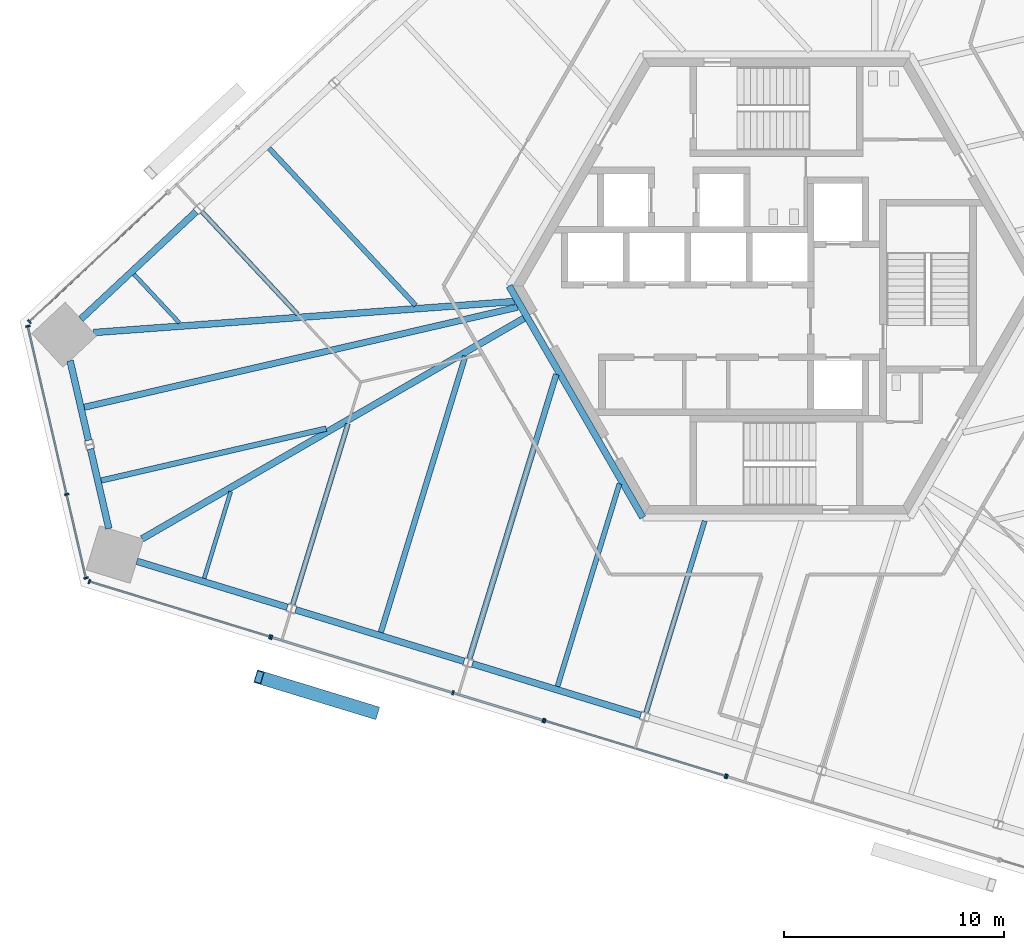
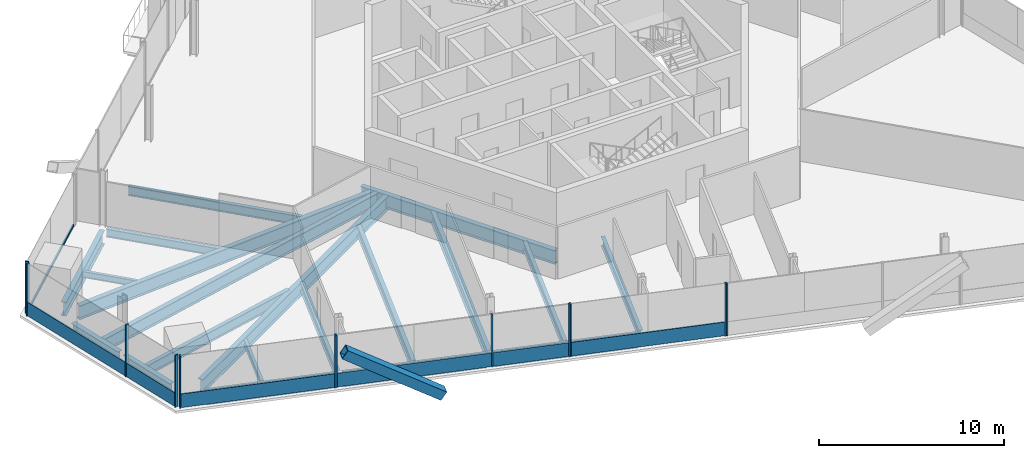
# One storey, part 4 of 17: 20 beams, 20 members, 6 elements without a shape of their own.
"""IFC4 building model written with IfcOpenShell, lengths in metres."""

import ifcopenshell
import ifcopenshell.guid

model = None  # the IFC model being written
_history = None  # IfcOwnerHistory: only IFC2X3 demands one
_inside = {}  # id of a spatial element -> (the spatial element, [elements in it])
_under = {}  # id of a project, library or spatial element -> (it, [spatial elements below it])
_declared = {}  # id of a project -> (the project, [libraries it declares])
_typed = {}  # id of a type object -> (the type object, [elements of that type])
_made_of = {}  # id of a material, layer set ... -> (it, [elements and type objects made of it])


def new_model(schema):
    """Start an empty IFC model of exactly this schema.

    Asked for "IFC4X3", IfcOpenShell would pick the latest addendum, in which some entities
    have other attributes; the version numbers below select the first issue.
    IFC2X3 requires an IfcOwnerHistory on every rooted entity: one is made here for all.
    """
    global model, _history
    if schema == "IFC4X3":
        model = ifcopenshell.file(schema_version=(4, 3, 0, 0))
    else:
        model = ifcopenshell.file(schema=schema)
    _inside.clear()
    _under.clear()
    _declared.clear()
    _typed.clear()
    _made_of.clear()
    _history = None
    if model.schema == "IFC2X3":
        org = make("IfcOrganization", Name="unknown")
        user = make(
            "IfcPersonAndOrganization",
            ThePerson=make("IfcPerson", FamilyName="unknown"),
            TheOrganization=org,
        )
        app = make(
            "IfcApplication",
            ApplicationDeveloper=org,
            Version="unknown",
            ApplicationFullName="unknown",
            ApplicationIdentifier="unknown",
        )
        _history = make(
            "IfcOwnerHistory",
            OwningUser=user,
            OwningApplication=app,
            ChangeAction="ADDED",
            CreationDate=0,
        )
    return model


def make(cls, **values):
    """One entity of the class cls with the attributes given. An attribute that is None is left unset."""
    return model.create_entity(
        cls, **{name: value for name, value in values.items() if value is not None}
    )


def rooted(cls, **values):
    """An entity with a GlobalId (a new one), such as an element, a storey or a relation."""
    return make(cls, GlobalId=ifcopenshell.guid.new(), OwnerHistory=_history, **values)


def si_unit(unit_type, name, prefix=None):
    """IfcSIUnit, for example si_unit("LENGTHUNIT", "METRE", prefix="MILLI")."""
    return make("IfcSIUnit", UnitType=unit_type, Prefix=prefix, Name=name)


def assignment(units):
    """IfcUnitAssignment: the units of a project."""
    return None if units is None else make("IfcUnitAssignment", Units=units)


def point(xyz):
    """IfcCartesianPoint."""
    return None if xyz is None else make("IfcCartesianPoint", Coordinates=xyz)


def direction(xyz):
    """IfcDirection."""
    return None if xyz is None else make("IfcDirection", DirectionRatios=xyz)


def frame(location, z_axis=None, x_axis=None):
    """IfcAxis2Placement3D, a coordinate frame: its origin and axes. An axis left out is left unset."""
    return make(
        "IfcAxis2Placement3D",
        Location=point(location),
        Axis=direction(z_axis),
        RefDirection=direction(x_axis),
    )


def frame_2d(location, x_axis=None):
    """IfcAxis2Placement2D, a coordinate frame in the plane: its origin and x axis."""
    return make(
        "IfcAxis2Placement2D", Location=point(location), RefDirection=direction(x_axis)
    )


def origin():
    """The frame at (0, 0, 0) with its axes left unset."""
    return frame((0.0, 0.0, 0.0))


def origin_2d():
    """The frame at (0, 0) in the plane with its x axis left unset."""
    return frame_2d((0.0, 0.0))


def place(relative_to, where):
    """IfcLocalPlacement: puts the frame where relative to a parent placement (None: the world)."""
    return make(
        "IfcLocalPlacement", PlacementRelTo=relative_to, RelativePlacement=where
    )


def context(
    kind, dimensions, precision=None, world=None, true_north=None, identifier=None
):
    """IfcGeometricRepresentationContext, for example the 3D "Model" context."""
    return make(
        "IfcGeometricRepresentationContext",
        ContextIdentifier=identifier,
        ContextType=kind,
        CoordinateSpaceDimension=dimensions,
        Precision=precision,
        WorldCoordinateSystem=world,
        TrueNorth=true_north,
    )


def subcontext(parent, identifier, kind, view, scale=None):
    """IfcGeometricRepresentationSubContext, for example "Body" below "Model"."""
    return make(
        "IfcGeometricRepresentationSubContext",
        ContextIdentifier=identifier,
        ContextType=kind,
        ParentContext=parent,
        TargetScale=scale,
        TargetView=view,
    )


def project(units=None, contexts=None):
    """IfcProject with its units and contexts."""
    return rooted(
        "IfcProject",
        Name="project",
        RepresentationContexts=contexts,
        UnitsInContext=assignment(units),
    )


def spatial(cls, under=None, at=None, **own):
    """A site, building, storey or space (cls), placed at a placement, below another one or the project."""
    s = rooted(cls, ObjectPlacement=at, **own)
    if under is not None:
        _under.setdefault(under.id(), (under, []))[1].append(s)
    return s


def profile(cls, at=None, kind="AREA", **sizes):
    """A parametric profile (cls). Its sizes go by their IFC names, for example OverallWidth=200.0."""
    return make(cls, ProfileType=kind, Position=at, **sizes)


def rectangle(**sizes):
    """IfcRectangleProfileDef."""
    return profile("IfcRectangleProfileDef", **sizes)


def hollow_rectangle(**sizes):
    """IfcRectangleHollowProfileDef."""
    return profile("IfcRectangleHollowProfileDef", **sizes)


def i_section(**sizes):
    """IfcIShapeProfileDef."""
    return profile("IfcIShapeProfileDef", **sizes)


def extrude(swept, where, along, depth):
    """IfcExtrudedAreaSolid: the profile swept, set in the frame where, extruded along a direction by depth."""
    return make(
        "IfcExtrudedAreaSolid",
        SweptArea=swept,
        Position=where,
        ExtrudedDirection=direction(along),
        Depth=depth,
    )


def shape(context_of_items, identifier, shape_type, items):
    """IfcShapeRepresentation: the items that make up one representation, for example the "Body"."""
    return make(
        "IfcShapeRepresentation",
        ContextOfItems=context_of_items,
        RepresentationIdentifier=identifier,
        RepresentationType=shape_type,
        Items=items,
    )


def source(mapping_origin, context_of_items, identifier, shape_type, items):
    """IfcRepresentationMap: a shape defined once, which mapped items show again and again."""
    return make(
        "IfcRepresentationMap",
        MappingOrigin=mapping_origin,
        MappedRepresentation=shape(context_of_items, identifier, shape_type, items),
    )


def transform(
    local_origin,
    x_axis=None,
    y_axis=None,
    z_axis=None,
    scale=None,
    scale2=None,
    scale3=None,
    uniform=True,
):
    """IfcCartesianTransformationOperator3D, or its non-uniform kind. x_axis, y_axis, z_axis: its Axis1, 2, 3."""
    if uniform:
        return make(
            "IfcCartesianTransformationOperator3D",
            Axis1=direction(x_axis),
            Axis2=direction(y_axis),
            LocalOrigin=point(local_origin),
            Scale=scale,
            Axis3=direction(z_axis),
        )
    return make(
        "IfcCartesianTransformationOperator3DnonUniform",
        Axis1=direction(x_axis),
        Axis2=direction(y_axis),
        LocalOrigin=point(local_origin),
        Scale=scale,
        Axis3=direction(z_axis),
        Scale2=scale2,
        Scale3=scale3,
    )


def mapped(mapping_source, mapping_target):
    """IfcMappedItem: shows the shape of a source again, moved by a transform."""
    return make(
        "IfcMappedItem", MappingSource=mapping_source, MappingTarget=mapping_target
    )


def material(Name=None, Category=None):
    """IfcMaterial."""
    return make("IfcMaterial", Name=Name, Category=Category)


def material_profile(
    of_material, cross_section, Name=None, Category=None, Priority=None
):
    """IfcMaterialProfile: a cross section and its material."""
    return make(
        "IfcMaterialProfile",
        Name=Name,
        Material=of_material,
        Profile=cross_section,
        Priority=Priority,
        Category=Category,
    )


def profile_set(profiles, Name=None, composite=None):
    """IfcMaterialProfileSet."""
    return make(
        "IfcMaterialProfileSet",
        Name=Name,
        MaterialProfiles=profiles,
        CompositeProfile=composite,
    )


def made_of(thing, what):
    """Note that an element or type object is made of a material, layer set ...; save() writes the relation."""
    if what is not None:
        _made_of.setdefault(what.id(), (what, []))[1].append(thing)
    return thing


def type_object(cls, material=None, **own):
    """A type object (cls), such as IfcWallType, which elements share."""
    return made_of(rooted(cls, **own), material)


def element(
    cls,
    number,
    at=None,
    inside=None,
    cuts=None,
    type_object=None,
    material=None,
    context=None,
    identifier="Body",
    shape_type=None,
    held_by="IfcProductDefinitionShape",
    body=None,
    shapes=None,
    **own,
):
    """One element of the class cls, such as IfcWall. Its Tag is "e" and its number.

    at: its placement. inside: the storey or other place that contains it. cuts: it is an
    opening in that element (IfcRelVoidsElement). A single representation is given by context,
    identifier, shape_type and body (its items); several are given by shapes. held_by: the class
    of the entity that holds the representations. save() writes the other relations.
    """
    e = rooted(cls, Tag="e%d" % number, ObjectPlacement=at, **own)
    if body is not None:
        shapes = [shape(context, identifier, shape_type, body)]
    if shapes is not None:
        e.Representation = make(held_by, Representations=shapes)
    if inside is not None:
        _inside.setdefault(inside.id(), (inside, []))[1].append(e)
    if cuts is not None:
        rooted(
            "IfcRelVoidsElement", RelatingBuildingElement=cuts, RelatedOpeningElement=e
        )
    if type_object is not None:
        _typed.setdefault(type_object.id(), (type_object, []))[1].append(e)
    return made_of(e, material)


def aggregate(whole, parts):
    """IfcRelAggregates: a whole, such as a stair, and the parts it consists of."""
    return rooted("IfcRelAggregates", RelatingObject=whole, RelatedObjects=parts)


def save(model, path):
    """Write the relations noted so far, then the file.

    IfcRelAggregates (storeys below a building ...), IfcRelContainedInSpatialStructure (elements
    in a storey), IfcRelDefinesByType, IfcRelAssociatesMaterial and IfcRelDeclares: one each for
    every whole, place, type object, material and project.
    """
    for whole, parts in _under.values():
        aggregate(whole, parts)
    for where, things in _inside.values():
        rooted(
            "IfcRelContainedInSpatialStructure",
            RelatedElements=things,
            RelatingStructure=where,
        )
    for kind, things in _typed.values():
        rooted("IfcRelDefinesByType", RelatedObjects=things, RelatingType=kind)
    for what, things in _made_of.values():
        rooted("IfcRelAssociatesMaterial", RelatedObjects=things, RelatingMaterial=what)
    for by, libraries in _declared.values():
        rooted("IfcRelDeclares", RelatingContext=by, RelatedDefinitions=libraries)
    model.write(path)


model = new_model("IFC4")

# Units and contexts
model_context = context("Model", 3, precision=1e-05, world=origin(), true_north=direction((0.0, 1.0)))
body_context = subcontext(model_context, "Body", "Model", "MODEL_VIEW")
ifc_project = project(units=[si_unit("LENGTHUNIT", "METRE"), si_unit("AREAUNIT", "SQUARE_METRE"), si_unit("VOLUMEUNIT", "CUBIC_METRE"), si_unit("PLANEANGLEUNIT", "RADIAN"), si_unit("MASSUNIT", "GRAM", prefix="KILO")], contexts=[model_context])

# Site, building, storey
site_placement = place(None, origin())
site = spatial("IfcSite", under=ifc_project, at=site_placement, CompositionType="ELEMENT")
building_placement = place(site_placement, origin())
building = spatial("IfcBuilding", under=site, at=building_placement, Name="Triune Harvest Tower", CompositionType="ELEMENT")
storey_placement = place(building_placement, frame((0.0, 0.0, 123.5)))
storey = spatial("IfcBuildingStorey", under=building, at=storey_placement, Name="L31", CompositionType="ELEMENT", Elevation=123.5)

# Curtain wall, member
ifc_material_1 = material(Name="Aluminium bronze anodised", Category="aluminium")
curtain_wall_type_1 = type_object("IfcCurtainWallType", Name="CW-6 Balcony window wall", PredefinedType="NOTDEFINED", material=ifc_material_1)
curtain_wall_1_placement = place(storey_placement, origin())
curtain_wall_1 = element("IfcCurtainWall", 1, at=curtain_wall_1_placement, inside=storey, type_object=curtain_wall_type_1, Name="CW-6 B3-F3 L31 run 2002")
ifc_material_2 = material(Name="Aluminium bronze anodised", Category="aluminium")
ifc_material_profile_1 = material_profile(ifc_material_2, rectangle(XDim=0.090087890625, YDim=0.14990234375, at=origin_2d()), Name="TR-6 transom 90 x 150")
ifc_profile_set_1 = profile_set([ifc_material_profile_1], Name="Aluminium bronze anodised")
member_type_1 = type_object("IfcMemberType", Name="TR-6 transom 90 x 150", PredefinedType="USERDEFINED", material=ifc_profile_set_1)
member_1_placement = place(storey_placement, frame((-27.766845703125, 4.221435546875, 0.074951171875), z_axis=(-0.731357026947, -0.681994794067, 0.0), x_axis=(0.681994794067, -0.731357026947, 0.0)))
member_1 = element("IfcMember", 2, at=member_1_placement, type_object=member_type_1, Name="CW-6 transom B3-F3 2002.1", ObjectType="TRANSOM", PredefinedType="USERDEFINED", context=body_context, shape_type="SweptSolid", body=[
    extrude(rectangle(XDim=0.090087890625, YDim=0.14990234375, at=origin_2d()), origin(), (0.0, 0.0, 1.0), 8.526611328125),
])

# Beams
ifc_material_3 = material(Name="Steel ASTM A992 Gr 50", Category="steel")
ifc_material_profile_2 = material_profile(ifc_material_3, i_section(OverallWidth=0.3046875, OverallDepth=0.914306640625, WebThickness=0.0166015625, FlangeThickness=0.02587890625, at=origin_2d()), Name="W36x160")
ifc_profile_set_2 = profile_set([ifc_material_profile_2], Name="Steel ASTM A992 Gr 50")
beam_type_1 = type_object("IfcBeamType", Name="CG-1 Core ring girder W36x160", PredefinedType="BEAM", material=ifc_profile_set_2)
shared_shape_1 = source(origin(), body_context, "Body", "SweptSolid", [
    extrude(i_section(OverallWidth=0.3046875, OverallDepth=0.914306640625, WebThickness=0.0166015625, FlangeThickness=0.02587890625, at=origin_2d()), origin(), (0.0, 0.0, 1.0), 12.176025390625),
])
beam_1_placement = place(storey_placement, frame((-12.176025390625, 0.0, -0.6171875), z_axis=(0.5000099932, -0.866019634131, 0.0), x_axis=(0.866019634131, 0.5000099932, 0.0)))
element("IfcBeam", 3, at=beam_1_placement, inside=storey, type_object=beam_type_1, Name="beam/L31/CG4", PredefinedType="BEAM", context=body_context, shape_type="MappedRepresentation", body=[
    mapped(shared_shape_1, transform((0.0, 0.0, 0.0), scale=1.0)),
])
ifc_material_4 = material(Name="Steel ASTM A992 Gr 50", Category="steel")
ifc_material_profile_3 = material_profile(ifc_material_4, i_section(OverallWidth=0.3046875, OverallDepth=0.914306640625, WebThickness=0.0166015625, FlangeThickness=0.02587890625, at=origin_2d()), Name="W36x160")
ifc_profile_set_3 = profile_set([ifc_material_profile_3], Name="Steel ASTM A992 Gr 50")
beam_type_2 = type_object("IfcBeamType", Name="SB-1 Spandrel beam W36x160", PredefinedType="SPANDREL", material=ifc_profile_set_3)
shared_shape_2 = source(origin(), body_context, "Body", "SweptSolid", [
    extrude(i_section(OverallWidth=0.3046875, OverallDepth=0.914306640625, WebThickness=0.0166015625, FlangeThickness=0.02587890625, at=origin_2d()), origin(), (0.0, 0.0, 1.0), 8.018310546875),
])
beam_2_placement = place(storey_placement, frame((-21.8994140625, -14.747314453125, -0.6171875), z_axis=(0.956308069579, -0.292360866152, 0.0), x_axis=(0.292360866152, 0.956308069579, 0.0)))
element("IfcBeam", 4, at=beam_2_placement, inside=storey, type_object=beam_type_2, Name="beam/L31/SB18", PredefinedType="SPANDREL", context=body_context, shape_type="MappedRepresentation", body=[
    mapped(shared_shape_2, transform((0.0, 0.0, 0.0), scale=1.0)),
])
shared_shape_3 = source(origin(), body_context, "Body", "SweptSolid", [
    extrude(i_section(OverallWidth=0.3046875, OverallDepth=0.914306640625, WebThickness=0.0166015625, FlangeThickness=0.02587890625, at=origin_2d()), origin(), (0.0, 0.0, 1.0), 8.01806640625),
])
beam_3_placement = place(storey_placement, frame((-13.8525390625, -17.207275390625, -0.6171875), z_axis=(0.956305466934, -0.292369379231, 0.0), x_axis=(0.292369379231, 0.956305466934, 0.0)))
element("IfcBeam", 5, at=beam_3_placement, inside=storey, type_object=beam_type_2, Name="beam/L31/SB19", PredefinedType="SPANDREL", context=body_context, shape_type="MappedRepresentation", body=[
    mapped(shared_shape_3, transform((0.0, 0.0, 0.0), scale=1.0)),
])
shared_shape_4 = source(origin(), body_context, "Body", "SweptSolid", [
    extrude(i_section(OverallWidth=0.3046875, OverallDepth=0.914306640625, WebThickness=0.0166015625, FlangeThickness=0.02587890625, at=origin_2d()), origin(), (0.0, 0.0, 1.0), 7.16650390625),
])
for number, where, z_axis, x_axis, name in (
    (6, (-26.4375, 3.384521484375, -0.6171875), (-0.731357675554, -0.681994098515, 0.0), (0.681994098515, -0.731357675554, 0.0), "beam/L31/SB14"),
    (7, (-29.131591796875, -12.5361328125, -0.6171875), (0.956306336732, -0.292366534211, 0.0), (0.292366534211, 0.956306336732, 0.0), "beam/L31/SB17"),
):
    element("IfcBeam", number, at=place(storey_placement, frame(where, z_axis=z_axis, x_axis=x_axis)), inside=storey, type_object=beam_type_2, Name=name, PredefinedType="SPANDREL", context=body_context, shape_type="MappedRepresentation", body=[
        mapped(shared_shape_4, transform((0.0, 0.0, 0.0), scale=1.0)),
    ])
shared_shape_5 = source(origin(), body_context, "Body", "SweptSolid", [
    extrude(i_section(OverallWidth=0.3046875, OverallDepth=0.914306640625, WebThickness=0.0166015625, FlangeThickness=0.02587890625, at=origin_2d()), origin(), (0.0, 0.0, 1.0), 3.72607421875),
])
for number, where, z_axis, x_axis, name in (
    (8, (-32.173828125, -3.400390625, -0.6171875), (0.224936070713, -0.974373523908, 0.0), (0.974373523908, 0.224936070713, 0.0), "beam/L31/SB15"),
    (9, (-31.24658203125, -7.4169921875, -0.6171875), (0.224998275907, -0.974359161623, 0.0), (0.974359161623, 0.224998275907, 0.0), "beam/L31/SB16"),
):
    element("IfcBeam", number, at=place(storey_placement, frame(where, z_axis=z_axis, x_axis=x_axis)), inside=storey, type_object=beam_type_2, Name=name, PredefinedType="SPANDREL", context=body_context, shape_type="MappedRepresentation", body=[
        mapped(shared_shape_5, transform((0.0, 0.0, 0.0), scale=1.0)),
    ])
ifc_material_5 = material(Name="Steel ASTM A992 Gr 50", Category="steel")
ifc_material_profile_4 = material_profile(ifc_material_5, i_section(OverallWidth=0.307373046875, OverallDepth=0.922119140625, WebThickness=0.018310546875, FlangeThickness=0.030029296875, at=origin_2d()), Name="W36x182")
ifc_profile_set_4 = profile_set([ifc_material_profile_4], Name="Steel ASTM A992 Gr 50")
beam_type_3 = type_object("IfcBeamType", Name="HG-2 Hip girder W36x182", PredefinedType="BEAM", material=ifc_profile_set_4)
shared_shape_6 = source(origin(), body_context, "Body", "SweptSolid", [
    extrude(i_section(OverallWidth=0.307373046875, OverallDepth=0.922119140625, WebThickness=0.018310546875, FlangeThickness=0.030029296875, at=origin_2d()), origin(), (0.0, 0.0, 1.0), 19.2109375),
])
beam_4_placement = place(storey_placement, frame((-31.103515625, -2.119873046875, -0.62109375), z_axis=(0.997285410262, 0.07363294425, 0.0), x_axis=(-0.07363294425, 0.997285410262, 0.0)))
element("IfcBeam", 10, at=beam_4_placement, inside=storey, type_object=beam_type_3, Name="beam/L31/HG5", PredefinedType="BEAM", context=body_context, shape_type="MappedRepresentation", body=[
    mapped(shared_shape_6, transform((0.0, 0.0, 0.0), scale=1.0)),
])
shared_shape_7 = source(origin(), body_context, "Body", "SweptSolid", [
    extrude(i_section(OverallWidth=0.307373046875, OverallDepth=0.922119140625, WebThickness=0.018310546875, FlangeThickness=0.030029296875, at=origin_2d()), origin(), (0.0, 0.0, 1.0), 20.080078125),
])
beam_5_placement = place(storey_placement, frame((-28.892333984375, -11.51123046875, -0.62109375), z_axis=(0.866025837197, 0.499999249307, 0.0), x_axis=(-0.499999249307, 0.866025837197, 0.0)))
element("IfcBeam", 11, at=beam_5_placement, inside=storey, type_object=beam_type_3, Name="beam/L31/HG6", PredefinedType="BEAM", context=body_context, shape_type="MappedRepresentation", body=[
    mapped(shared_shape_7, transform((0.0, 0.0, 0.0), scale=1.0)),
])
ifc_material_6 = material(Name="Steel ASTM A992 Gr 50", Category="steel")
ifc_material_profile_5 = material_profile(ifc_material_6, i_section(OverallWidth=0.22900390625, OverallDepth=0.612060546875, WebThickness=0.011962890625, FlangeThickness=0.01953125, at=origin_2d()), Name="W24x84")
ifc_profile_set_5 = profile_set([ifc_material_profile_5], Name="Steel ASTM A992 Gr 50")
beam_type_4 = type_object("IfcBeamType", Name="JT-3 Floor joist W24x84", PredefinedType="JOIST", material=ifc_profile_set_5)
shared_shape_8 = source(origin(), body_context, "Body", "SweptSolid", [
    extrude(i_section(OverallWidth=0.22900390625, OverallDepth=0.612060546875, WebThickness=0.011962890625, FlangeThickness=0.01953125, at=origin_2d()), origin(), (0.0, 0.0, 1.0), 9.129150390625),
])
beam_6_placement = place(storey_placement, frame((-5.939453125, -19.42724609375, -0.466064453125), z_axis=(0.292356457167, 0.956309417476, 0.0), x_axis=(-0.956309417476, 0.292356457167, 0.0)))
element("IfcBeam", 12, at=beam_6_placement, inside=storey, type_object=beam_type_4, Name="beam/L31/JT32", PredefinedType="JOIST", context=body_context, shape_type="MappedRepresentation", body=[
    mapped(shared_shape_8, transform((0.0, 0.0, 0.0), scale=1.0)),
])
shared_shape_9 = source(origin(), body_context, "Body", "SweptSolid", [
    extrude(i_section(OverallWidth=0.22900390625, OverallDepth=0.612060546875, WebThickness=0.011962890625, FlangeThickness=0.01953125, at=origin_2d()), origin(), (0.0, 0.0, 1.0), 9.790283203125),
])
beam_7_placement = place(storey_placement, frame((-23.11181640625, 6.27734375, -0.466064453125), z_axis=(0.682000995077, -0.731351244419, 0.0), x_axis=(0.731351244419, 0.682000995077, 0.0)))
element("IfcBeam", 13, at=beam_7_placement, inside=storey, type_object=beam_type_4, Name="beam/L31/JT22", PredefinedType="JOIST", context=body_context, shape_type="MappedRepresentation", body=[
    mapped(shared_shape_9, transform((0.0, 0.0, 0.0), scale=1.0)),
])
ifc_material_7 = material(Name="Steel ASTM A992 Gr 50", Category="steel")
ifc_material_profile_6 = material_profile(ifc_material_7, i_section(OverallWidth=0.180908203125, OverallDepth=0.41650390625, WebThickness=0.010986328125, FlangeThickness=0.01806640625, at=origin_2d()), Name="W16x57")
ifc_profile_set_6 = profile_set([ifc_material_profile_6], Name="Steel ASTM A992 Gr 50")
beam_type_5 = type_object("IfcBeamType", Name="JT-1 Floor joist W16x57", PredefinedType="JOIST", material=ifc_profile_set_6)
shared_shape_10 = source(origin(), body_context, "Body", "SweptSolid", [
    extrude(i_section(OverallWidth=0.180908203125, OverallDepth=0.41650390625, WebThickness=0.010986328125, FlangeThickness=0.01806640625, at=origin_2d()), origin(), (0.0, 0.0, 1.0), 3.0302734375),
])
beam_8_placement = place(storey_placement, frame((-29.265625, 0.538818359375, -0.368408203125), z_axis=(0.681982331581, -0.731368648091, 0.0), x_axis=(0.731368648091, 0.681982331581, 0.0)))
element("IfcBeam", 14, at=beam_8_placement, inside=storey, type_object=beam_type_5, Name="beam/L31/JT24", PredefinedType="JOIST", context=body_context, shape_type="MappedRepresentation", body=[
    mapped(shared_shape_10, transform((0.0, 0.0, 0.0), scale=1.0)),
])
shared_shape_11 = source(origin(), body_context, "Body", "SweptSolid", [
    extrude(i_section(OverallWidth=0.180908203125, OverallDepth=0.41650390625, WebThickness=0.010986328125, FlangeThickness=0.01806640625, at=origin_2d()), origin(), (0.0, 0.0, 1.0), 4.134033203125),
])
beam_9_placement = place(storey_placement, frame((-26.067626953125, -13.3134765625, -0.368408203125), z_axis=(0.29238807321, 0.956299751461, 0.0), x_axis=(-0.956299751461, 0.29238807321, 0.0)))
element("IfcBeam", 15, at=beam_9_placement, inside=storey, type_object=beam_type_5, Name="beam/L31/JT27", PredefinedType="JOIST", context=body_context, shape_type="MappedRepresentation", body=[
    mapped(shared_shape_11, transform((0.0, 0.0, 0.0), scale=1.0)),
])
shared_shape_12 = source(origin(), body_context, "Body", "SweptSolid", [
    extrude(i_section(OverallWidth=0.22900390625, OverallDepth=0.612060546875, WebThickness=0.011962890625, FlangeThickness=0.01953125, at=origin_2d()), origin(), (0.0, 0.0, 1.0), 8.607666015625),
])
beam_10_placement = place(storey_placement, frame((-22.033203125, -14.507080078125, -0.466064453125), z_axis=(0.29237129862, 0.956304880121, 0.0), x_axis=(-0.956304880121, 0.29237129862, 0.0)))
element("IfcBeam", 16, at=beam_10_placement, inside=storey, type_object=beam_type_4, Name="beam/L31/JT28", PredefinedType="JOIST", context=body_context, shape_type="MappedRepresentation", body=[
    mapped(shared_shape_12, transform((0.0, 0.0, 0.0), scale=1.0)),
])
ifc_material_8 = material(Name="Steel ASTM A992 Gr 50", Category="steel")
ifc_material_profile_7 = material_profile(ifc_material_8, i_section(OverallWidth=0.253662109375, OverallDepth=0.683349609375, WebThickness=0.012451171875, FlangeThickness=0.01904296875, at=origin_2d()), Name="W27x94")
ifc_profile_set_7 = profile_set([ifc_material_profile_7], Name="Steel ASTM A992 Gr 50")
beam_type_6 = type_object("IfcBeamType", Name="JT-4 Floor joist W27x94", PredefinedType="JOIST", material=ifc_profile_set_7)
shared_shape_13 = source(origin(), body_context, "Body", "SweptSolid", [
    extrude(i_section(OverallWidth=0.253662109375, OverallDepth=0.683349609375, WebThickness=0.012451171875, FlangeThickness=0.01904296875, at=origin_2d()), origin(), (0.0, 0.0, 1.0), 13.157470703125),
])
beam_11_placement = place(storey_placement, frame((-18.02099609375, -15.773681640625, -0.501708984375), z_axis=(0.292375983311, 0.956303447857, 0.0), x_axis=(-0.956303447857, 0.292375983311, 0.0)))
element("IfcBeam", 17, at=beam_11_placement, inside=storey, type_object=beam_type_6, Name="beam/L31/JT29", PredefinedType="JOIST", context=body_context, shape_type="MappedRepresentation", body=[
    mapped(shared_shape_13, transform((0.0, 0.0, 0.0), scale=1.0)),
])
shared_shape_14 = source(origin(), body_context, "Body", "SweptSolid", [
    extrude(i_section(OverallWidth=0.22900390625, OverallDepth=0.612060546875, WebThickness=0.011962890625, FlangeThickness=0.01953125, at=origin_2d()), origin(), (0.0, 0.0, 1.0), 9.64990234375),
])
beam_12_placement = place(storey_placement, frame((-9.97412109375, -18.233642578125, -0.466064453125), z_axis=(0.292387575984, 0.956299903488, 0.0), x_axis=(-0.956299903488, 0.292387575984, 0.0)))
element("IfcBeam", 18, at=beam_12_placement, inside=storey, type_object=beam_type_4, Name="beam/L31/JT31", PredefinedType="JOIST", context=body_context, shape_type="MappedRepresentation", body=[
    mapped(shared_shape_14, transform((0.0, 0.0, 0.0), scale=1.0)),
])
ifc_material_9 = material(Name="Steel ASTM A992 Gr 50", Category="steel")
ifc_material_profile_8 = material_profile(ifc_material_9, i_section(OverallWidth=0.2099609375, OverallDepth=0.535888671875, WebThickness=0.010986328125, FlangeThickness=0.017333984375, at=origin_2d()), Name="W21x68")
ifc_profile_set_8 = profile_set([ifc_material_profile_8], Name="Steel ASTM A992 Gr 50")
beam_type_7 = type_object("IfcBeamType", Name="JT-2 Floor joist W21x68", PredefinedType="JOIST", material=ifc_profile_set_8)
shared_shape_15 = source(origin(), body_context, "Body", "SweptSolid", [
    extrude(i_section(OverallWidth=0.2099609375, OverallDepth=0.535888671875, WebThickness=0.010986328125, FlangeThickness=0.017333984375, at=origin_2d()), origin(), (0.0, 0.0, 1.0), 6.3720703125),
])
beam_13_placement = place(storey_placement, frame((-26.16259765625, 3.380126953125, -0.427978515625), z_axis=(0.682001475832, -0.731350796105, 0.0), x_axis=(0.731350796105, 0.682001475832, 0.0)))
element("IfcBeam", 19, at=beam_13_placement, inside=storey, type_object=beam_type_7, Name="beam/L31/JT23", PredefinedType="JOIST", context=body_context, shape_type="MappedRepresentation", body=[
    mapped(shared_shape_15, transform((0.0, 0.0, 0.0), scale=1.0)),
])
ifc_material_10 = material(Name="Steel ASTM A992 Gr 50", Category="steel")
ifc_material_profile_9 = material_profile(ifc_material_10, i_section(OverallWidth=0.2919921875, OverallDepth=0.8583984375, WebThickness=0.01708984375, FlangeThickness=0.031005859375, at=origin_2d()), Name="W33x169")
ifc_profile_set_9 = profile_set([ifc_material_profile_9], Name="Steel ASTM A992 Gr 50")
beam_type_8 = type_object("IfcBeamType", Name="JT-7 Floor joist W33x169", PredefinedType="JOIST", material=ifc_profile_set_9)
shared_shape_16 = source(origin(), body_context, "Body", "SweptSolid", [
    extrude(i_section(OverallWidth=0.2919921875, OverallDepth=0.8583984375, WebThickness=0.01708984375, FlangeThickness=0.031005859375, at=origin_2d()), origin(), (0.0, 0.0, 1.0), 20.25244140625),
])
beam_14_placement = place(storey_placement, frame((-31.52783203125, -5.521484375, -0.58935546875), z_axis=(0.974371687507, 0.224944025448, 0.0), x_axis=(-0.224944025448, 0.974371687507, 0.0)))
element("IfcBeam", 20, at=beam_14_placement, inside=storey, type_object=beam_type_8, Name="beam/L31/JT25", PredefinedType="JOIST", context=body_context, shape_type="MappedRepresentation", body=[
    mapped(shared_shape_16, transform((0.0, 0.0, 0.0), scale=1.0)),
])
shared_shape_17 = source(origin(), body_context, "Body", "SweptSolid", [
    extrude(i_section(OverallWidth=0.253662109375, OverallDepth=0.683349609375, WebThickness=0.012451171875, FlangeThickness=0.01904296875, at=origin_2d()), origin(), (0.0, 0.0, 1.0), 10.52294921875),
])
beam_15_placement = place(storey_placement, frame((-30.75732421875, -8.858154296875, -0.501708984375), z_axis=(0.974368902387, 0.224956089186, 0.0), x_axis=(-0.224956089186, 0.974368902387, 0.0)))
element("IfcBeam", 21, at=beam_15_placement, inside=storey, type_object=beam_type_6, Name="beam/L31/JT26", PredefinedType="JOIST", context=body_context, shape_type="MappedRepresentation", body=[
    mapped(shared_shape_17, transform((0.0, 0.0, 0.0), scale=1.0)),
])
ifc_material_11 = material(Name="Steel ASTM A992 Gr 50", Category="steel")
ifc_material_profile_10 = material_profile(ifc_material_11, i_section(OverallWidth=0.2666015625, OverallDepth=0.7568359375, WebThickness=0.013916015625, FlangeThickness=0.019287109375, at=origin_2d()), Name="W30x108")
ifc_profile_set_10 = profile_set([ifc_material_profile_10], Name="Steel ASTM A992 Gr 50")
beam_type_9 = type_object("IfcBeamType", Name="JT-5 Floor joist W30x108", PredefinedType="JOIST", material=ifc_profile_set_10)
shared_shape_18 = source(origin(), body_context, "Body", "SweptSolid", [
    extrude(i_section(OverallWidth=0.2666015625, OverallDepth=0.7568359375, WebThickness=0.013916015625, FlangeThickness=0.019287109375, at=origin_2d()), origin(), (0.0, 0.0, 1.0), 13.53515625),
])
beam_16_placement = place(storey_placement, frame((-13.986328125, -16.96728515625, -0.53857421875), z_axis=(0.292367922799, 0.956305912205, 0.0), x_axis=(-0.956305912205, 0.292367922799, 0.0)))
element("IfcBeam", 22, at=beam_16_placement, inside=storey, type_object=beam_type_9, Name="beam/L31/JT30", PredefinedType="JOIST", context=body_context, shape_type="MappedRepresentation", body=[
    mapped(shared_shape_18, transform((0.0, 0.0, 0.0), scale=1.0)),
])

# Member
ifc_material_12 = material(Name="Steel ASTM A572 Gr 50", Category="steel")
ifc_material_profile_11 = material_profile(ifc_material_12, hollow_rectangle(XDim=0.60009765625, YDim=0.60009765625, WallThickness=0.0400390625, at=origin_2d()), Name="Box 600x600x40")
ifc_profile_set_11 = profile_set([ifc_material_profile_11], Name="Steel ASTM A572 Gr 50")
member_type_2 = type_object("IfcMemberType", Name="BR-2 Brace Box 600x600x40", PredefinedType="BRACE", material=ifc_profile_set_11)
shared_shape_19 = source(origin(), body_context, "Body", "SweptSolid", [
    extrude(hollow_rectangle(XDim=0.60009765625, YDim=0.60009765625, WallThickness=0.0400390625, at=origin_2d()), origin(), (0.0, 0.0, 1.0), 6.56640625),
])
member_2_placement = place(storey_placement, frame((-18.317626953125, -19.4169921875, 0.0), z_axis=(-0.799775179898, 0.244494518293, 0.548253674993), x_axis=(-0.292348421026, -0.956311874193, 0.0)))
element("IfcMember", 23, at=member_2_placement, inside=storey, type_object=member_type_2, Name="brace/B3-F5/d2/8", PredefinedType="BRACE", context=body_context, shape_type="MappedRepresentation", body=[
    mapped(shared_shape_19, transform((0.0, 0.0, 0.0), scale=1.0)),
])

# Curtain wall, members
ifc_material_13 = material(Name="Aluminium bronze anodised", Category="aluminium")
curtain_wall_type_2 = type_object("IfcCurtainWallType", Name="CW-1 Tower stick curtain wall", PredefinedType="NOTDEFINED", material=ifc_material_13)
curtain_wall_2_placement = place(storey_placement, origin())
curtain_wall_2 = element("IfcCurtainWall", 24, at=curtain_wall_2_placement, inside=storey, type_object=curtain_wall_type_2, Name="CW-1 B3-F4 L31 run 1")
ifc_material_14 = material(Name="Aluminium bronze anodised", Category="aluminium")
ifc_material_profile_12 = material_profile(ifc_material_14, rectangle(XDim=0.199951171875, YDim=0.074951171875, at=origin_2d()), Name="MU-1 mullion 75 x 200")
ifc_profile_set_12 = profile_set([ifc_material_profile_12], Name="Aluminium bronze anodised")
member_type_3 = type_object("IfcMemberType", Name="MU-1 mullion 75 x 200", PredefinedType="MULLION", material=ifc_profile_set_12)
shared_shape_20 = source(origin(), body_context, "Body", "SweptSolid", [
    extrude(rectangle(XDim=0.199951171875, YDim=0.074951171875, at=origin_2d()), origin(), (0.0, 0.0, 1.0), 3.43994140625),
])
member_3_placement = place(storey_placement, frame((-34.0947265625, -1.83056640625, 0.0), z_axis=(0.0, 0.0, 1.0), x_axis=(0.974371012181, 0.224946950683, 0.0)))
member_3 = element("IfcMember", 25, at=member_3_placement, type_object=member_type_3, Name="CW-1 mullion B3-F4 1.1", PredefinedType="MULLION", context=body_context, shape_type="MappedRepresentation", body=[
    mapped(shared_shape_20, transform((0.0, 0.0, 0.0), scale=1.0)),
])
member_4_placement = place(storey_placement, frame((-32.32666015625, -9.489501953125, 0.0), z_axis=(0.0, 0.0, 1.0), x_axis=(0.974371012181, 0.224946950683, 0.0)))
member_4 = element("IfcMember", 26, at=member_4_placement, type_object=member_type_3, Name="CW-1 mullion B3-F4 1.3", PredefinedType="MULLION", context=body_context, shape_type="MappedRepresentation", body=[
    mapped(shared_shape_20, transform((0.0, 0.0, 0.0), scale=1.0)),
])
member_5_placement = place(storey_placement, frame((-31.44677734375, -13.30078125, 0.0), z_axis=(0.0, 0.0, 1.0), x_axis=(0.974371012181, 0.224946950683, 0.0)))
member_5 = element("IfcMember", 27, at=member_5_placement, type_object=member_type_3, Name="CW-1 mullion B3-F4 1.4", PredefinedType="MULLION", context=body_context, shape_type="MappedRepresentation", body=[
    mapped(shared_shape_20, transform((0.0, 0.0, 0.0), scale=1.0)),
])

curtain_wall_3_placement = place(storey_placement, origin())
curtain_wall_3 = element("IfcCurtainWall", 28, at=curtain_wall_3_placement, inside=storey, type_object=curtain_wall_type_2, Name="CW-1 B3-F5 L31 run 1")
member_6_placement = place(storey_placement, frame((-31.296142578125, -13.462158203125, 0.0), z_axis=(0.0, 0.0, 1.0), x_axis=(0.292376502084, 0.956303289249, 0.0)))
member_6 = element("IfcMember", 29, at=member_6_placement, type_object=member_type_3, Name="CW-1 mullion B3-F5 1.1", PredefinedType="MULLION", context=body_context, shape_type="MappedRepresentation", body=[
    mapped(shared_shape_20, transform((0.0, 0.0, 0.0), scale=1.0)),
])
member_7_placement = place(storey_placement, frame((-23.0703125, -15.977294921875, 0.0), z_axis=(0.0, 0.0, 1.0), x_axis=(0.292376502084, 0.956303289249, 0.0)))
member_7 = element("IfcMember", 30, at=member_7_placement, type_object=member_type_3, Name="CW-1 mullion B3-F5 1.3", PredefinedType="MULLION", context=body_context, shape_type="MappedRepresentation", body=[
    mapped(shared_shape_20, transform((0.0, 0.0, 0.0), scale=1.0)),
])

ifc_material_15 = material(Name="Aluminium bronze anodised", Category="aluminium")
curtain_wall_type_3 = type_object("IfcCurtainWallType", Name="CW-7 Tower stick curtain wall with insulated spandrel infill", PredefinedType="NOTDEFINED", material=ifc_material_15)
curtain_wall_4_placement = place(storey_placement, origin())
curtain_wall_4 = element("IfcCurtainWall", 31, at=curtain_wall_4_placement, inside=storey, type_object=curtain_wall_type_3, Name="CW-7 B3-F5 L31 run 1001")
member_8_placement = place(storey_placement, frame((-22.99853515625, -15.999267578125, 0.0), z_axis=(0.0, 0.0, 1.0), x_axis=(0.292368447621, 0.956305751753, 0.0)))
member_8 = element("IfcMember", 32, at=member_8_placement, type_object=member_type_3, Name="CW-7 mullion B3-F5 1001.1", PredefinedType="MULLION", context=body_context, shape_type="MappedRepresentation", body=[
    mapped(shared_shape_20, transform((0.0, 0.0, 0.0), scale=1.0)),
])
member_9_placement = place(storey_placement, frame((-14.73681640625, -18.52490234375, 0.0), z_axis=(0.0, 0.0, 1.0), x_axis=(0.292368447621, 0.956305751753, 0.0)))
member_9 = element("IfcMember", 33, at=member_9_placement, type_object=member_type_3, Name="CW-7 mullion B3-F5 1001.3", PredefinedType="MULLION", context=body_context, shape_type="MappedRepresentation", body=[
    mapped(shared_shape_20, transform((0.0, 0.0, 0.0), scale=1.0)),
])
member_10_placement = place(storey_placement, frame((-10.623779296875, -19.782470703125, 0.0), z_axis=(0.0, 0.0, 1.0), x_axis=(0.292368447621, 0.956305751753, 0.0)))
member_10 = element("IfcMember", 34, at=member_10_placement, type_object=member_type_3, Name="CW-7 mullion B3-F5 1001.4", PredefinedType="MULLION", context=body_context, shape_type="MappedRepresentation", body=[
    mapped(shared_shape_20, transform((0.0, 0.0, 0.0), scale=1.0)),
])

curtain_wall_5_placement = place(storey_placement, origin())
curtain_wall_5 = element("IfcCurtainWall", 35, at=curtain_wall_5_placement, inside=storey, type_object=curtain_wall_type_2, Name="CW-1 B3-F5 L31 run 2001")
member_11_placement = place(storey_placement, frame((-10.55224609375, -19.804443359375, 0.0), z_axis=(0.0, 0.0, 1.0), x_axis=(0.292382209978, 0.956301544121, 0.0)))
member_11 = element("IfcMember", 36, at=member_11_placement, type_object=member_type_3, Name="CW-1 mullion B3-F5 2001.1", PredefinedType="MULLION", context=body_context, shape_type="MappedRepresentation", body=[
    mapped(shared_shape_20, transform((0.0, 0.0, 0.0), scale=1.0)),
])
member_12_placement = place(storey_placement, frame((-2.326416015625, -22.3193359375, 0.0), z_axis=(0.0, 0.0, 1.0), x_axis=(0.292382209978, 0.956301544121, 0.0)))
member_12 = element("IfcMember", 37, at=member_12_placement, type_object=member_type_3, Name="CW-1 mullion B3-F5 2001.3", PredefinedType="MULLION", context=body_context, shape_type="MappedRepresentation", body=[
    mapped(shared_shape_20, transform((0.0, 0.0, 0.0), scale=1.0)),
])

# Curtain wall, member
curtain_wall_6_placement = place(storey_placement, origin())
curtain_wall_6 = element("IfcCurtainWall", 38, at=curtain_wall_6_placement, inside=storey, type_object=curtain_wall_type_3, Name="CW-7 B3-F5 L31 run 3001")
member_13_placement = place(storey_placement, frame((-2.254638671875, -22.34130859375, 0.0), z_axis=(0.0, 0.0, 1.0), x_axis=(0.292368447621, 0.956305751753, 0.0)))
member_13 = element("IfcMember", 39, at=member_13_placement, type_object=member_type_3, Name="CW-7 mullion B3-F5 3001.1", PredefinedType="MULLION", context=body_context, shape_type="MappedRepresentation", body=[
    mapped(shared_shape_20, transform((0.0, 0.0, 0.0), scale=1.0)),
])
aggregate(curtain_wall_6, [member_13])

# Member
ifc_material_16 = material(Name="Aluminium bronze anodised", Category="aluminium")
ifc_material_profile_13 = material_profile(ifc_material_16, rectangle(XDim=0.199951171875, YDim=0.074951171875, at=origin_2d()), Name="MU-6 mullion 75 x 200")
ifc_profile_set_13 = profile_set([ifc_material_profile_13], Name="Aluminium bronze anodised")
member_type_4 = type_object("IfcMemberType", Name="MU-6 mullion 75 x 200", PredefinedType="MULLION", material=ifc_profile_set_13)
shared_shape_21 = source(origin(), body_context, "Body", "SweptSolid", [
    extrude(rectangle(XDim=0.199951171875, YDim=0.074951171875, at=origin_2d()), origin(), (0.0, 0.0, 1.0), 3.43994140625),
])
member_14_placement = place(storey_placement, frame((-34.0302734375, -1.619384765625, 0.0), z_axis=(0.0, 0.0, 1.0), x_axis=(0.681997510149, -0.731354494176, 0.0)))
member_14 = element("IfcMember", 40, at=member_14_placement, type_object=member_type_4, Name="CW-6 mullion B3-F3 2002.3", PredefinedType="MULLION", context=body_context, shape_type="MappedRepresentation", body=[
    mapped(shared_shape_21, transform((0.0, 0.0, 0.0), scale=1.0)),
])

aggregate(curtain_wall_1, [member_14, member_1])

ifc_material_17 = material(Name="Aluminium bronze anodised", Category="aluminium")
ifc_material_profile_14 = material_profile(ifc_material_17, rectangle(XDim=0.090087890625, YDim=0.89990234375, at=origin_2d()), Name="TR-1 transom 90 x 900")
ifc_profile_set_14 = profile_set([ifc_material_profile_14], Name="Aluminium bronze anodised")
member_type_5 = type_object("IfcMemberType", Name="TR-1 transom 90 x 900", PredefinedType="USERDEFINED", material=ifc_profile_set_14)
shared_shape_22 = source(origin(), body_context, "Body", "SweptSolid", [
    extrude(rectangle(XDim=0.090087890625, YDim=0.89990234375, at=origin_2d()), origin(), (0.0, 0.0, 1.0), 3.83642578125),
])
member_15_placement = place(storey_placement, frame((-32.318115234375, -9.526123046875, 0.449951171875), z_axis=(0.224901336827, -0.974381541642, 0.0), x_axis=(0.974381541642, 0.224901336827, 0.0)))
member_15 = element("IfcMember", 41, at=member_15_placement, type_object=member_type_5, Name="CW-1 transom B3-F4 1.2", ObjectType="TRANSOM", PredefinedType="USERDEFINED", context=body_context, shape_type="MappedRepresentation", body=[
    mapped(shared_shape_22, transform((0.0, 0.0, 0.0), scale=1.0)),
])

shared_shape_23 = source(origin(), body_context, "Body", "SweptSolid", [
    extrude(rectangle(XDim=0.090087890625, YDim=0.89990234375, at=origin_2d()), origin(), (0.0, 0.0, 1.0), 7.785400390625),
])
member_16_placement = place(storey_placement, frame((-34.08642578125, -1.8671875, 0.449951171875), z_axis=(0.22493508372, -0.974373751756, 0.0), x_axis=(0.974373751756, 0.22493508372, 0.0)))
member_16 = element("IfcMember", 42, at=member_16_placement, type_object=member_type_5, Name="CW-1 transom B3-F4 1.1", ObjectType="TRANSOM", PredefinedType="USERDEFINED", context=body_context, shape_type="MappedRepresentation", body=[
    mapped(shared_shape_23, transform((0.0, 0.0, 0.0), scale=1.0)),
])

aggregate(curtain_wall_2, [member_3, member_4, member_5, member_16, member_15])

shared_shape_24 = source(origin(), body_context, "Body", "SweptSolid", [
    extrude(rectangle(XDim=0.090087890625, YDim=0.89990234375, at=origin_2d()), origin(), (0.0, 0.0, 1.0), 8.564208984375),
])
member_17_placement = place(storey_placement, frame((-22.962646484375, -16.010009765625, 0.449951171875), z_axis=(0.956305086263, -0.292370624358, 0.0), x_axis=(0.292370624358, 0.956305086263, 0.0)))
member_17 = element("IfcMember", 43, at=member_17_placement, type_object=member_type_5, Name="CW-7 transom B3-F5 1001.1", ObjectType="TRANSOM", PredefinedType="USERDEFINED", context=body_context, shape_type="MappedRepresentation", body=[
    mapped(shared_shape_24, transform((0.0, 0.0, 0.0), scale=1.0)),
])

shared_shape_25 = source(origin(), body_context, "Body", "SweptSolid", [
    extrude(rectangle(XDim=0.090087890625, YDim=0.89990234375, at=origin_2d()), origin(), (0.0, 0.0, 1.0), 4.225830078125),
])
member_18_placement = place(storey_placement, frame((-14.700927734375, -18.535888671875, 0.449951171875), z_axis=(0.95630087871, -0.292384386344, 0.0), x_axis=(0.292384386344, 0.95630087871, 0.0)))
member_18 = element("IfcMember", 44, at=member_18_placement, type_object=member_type_5, Name="CW-7 transom B3-F5 1001.2", ObjectType="TRANSOM", PredefinedType="USERDEFINED", context=body_context, shape_type="MappedRepresentation", body=[
    mapped(shared_shape_25, transform((0.0, 0.0, 0.0), scale=1.0)),
])

aggregate(curtain_wall_4, [member_8, member_9, member_10, member_17, member_18])

shared_shape_26 = source(origin(), body_context, "Body", "SweptSolid", [
    extrude(rectangle(XDim=0.090087890625, YDim=0.89990234375, at=origin_2d()), origin(), (0.0, 0.0, 1.0), 8.526611328125),
])
member_19_placement = place(storey_placement, frame((-31.26025390625, -13.47314453125, 0.449951171875), z_axis=(0.956297542911, -0.292395296512, 0.0), x_axis=(0.292395296512, 0.956297542911, 0.0)))
member_19 = element("IfcMember", 45, at=member_19_placement, type_object=member_type_5, Name="CW-1 transom B3-F5 1.1", ObjectType="TRANSOM", PredefinedType="USERDEFINED", context=body_context, shape_type="MappedRepresentation", body=[
    mapped(shared_shape_26, transform((0.0, 0.0, 0.0), scale=1.0)),
])

aggregate(curtain_wall_3, [member_6, member_7, member_19])

member_20_placement = place(storey_placement, frame((-10.516357421875, -19.8154296875, 0.449951171875), z_axis=(0.956305548756, -0.292369111601, 0.0), x_axis=(0.292369111601, 0.956305548756, 0.0)))
member_20 = element("IfcMember", 46, at=member_20_placement, type_object=member_type_5, Name="CW-1 transom B3-F5 2001.1", ObjectType="TRANSOM", PredefinedType="USERDEFINED", context=body_context, shape_type="MappedRepresentation", body=[
    mapped(shared_shape_26, transform((0.0, 0.0, 0.0), scale=1.0)),
])

aggregate(curtain_wall_5, [member_11, member_12, member_20])

save(model, "model.ifc")
